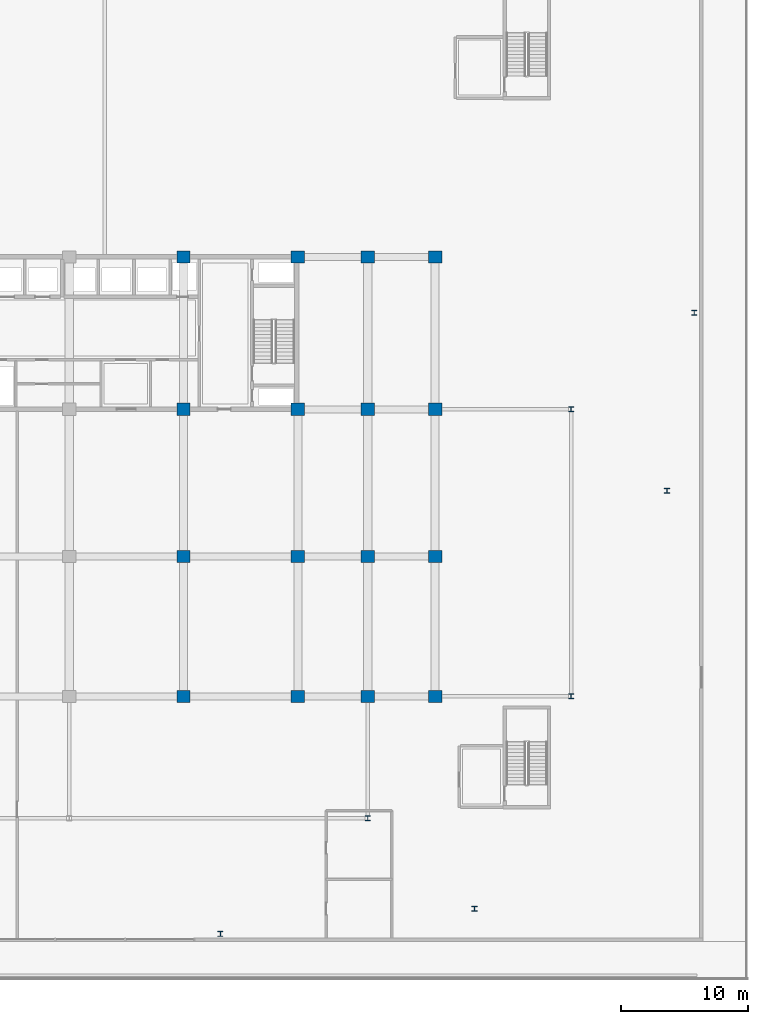
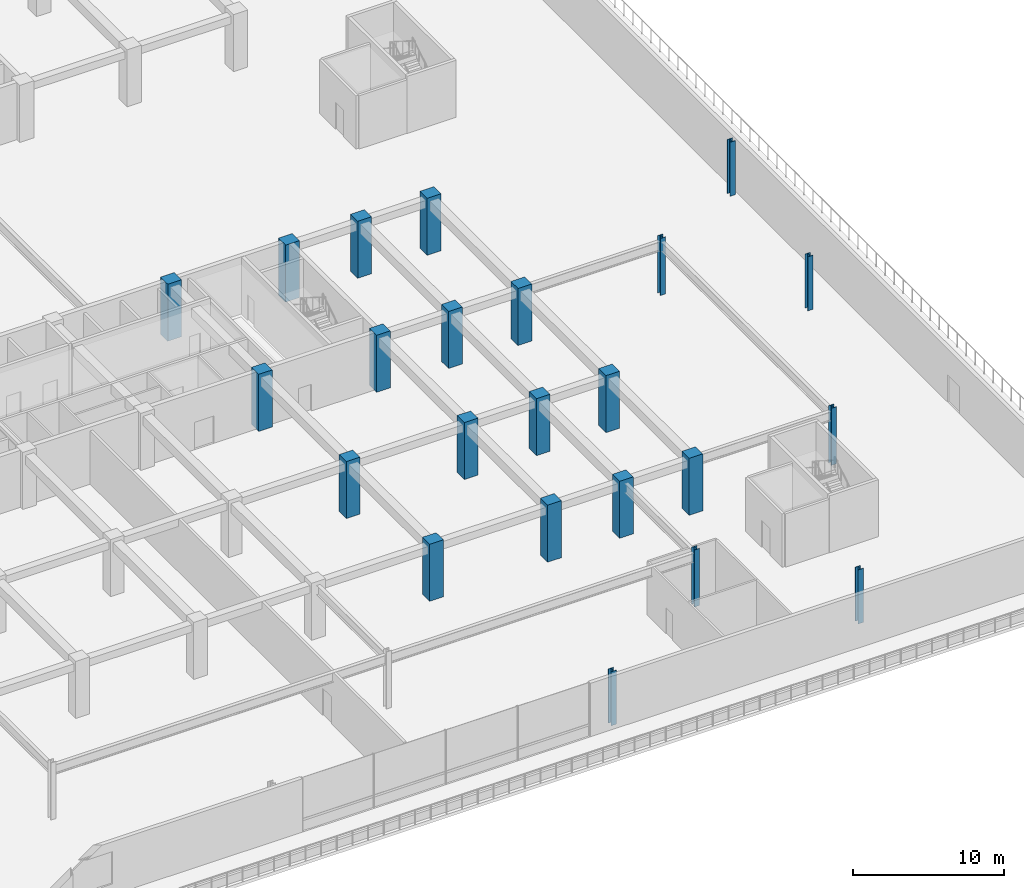
# One storey, part 2 of 45: 23 columns.
"""IFC4 building model written with IfcOpenShell, lengths in metres."""

import ifcopenshell
import ifcopenshell.guid

model = None  # the IFC model being written
_history = None  # IfcOwnerHistory: only IFC2X3 demands one
_inside = {}  # id of a spatial element -> (the spatial element, [elements in it])
_under = {}  # id of a project, library or spatial element -> (it, [spatial elements below it])
_declared = {}  # id of a project -> (the project, [libraries it declares])
_typed = {}  # id of a type object -> (the type object, [elements of that type])
_made_of = {}  # id of a material, layer set ... -> (it, [elements and type objects made of it])


def new_model(schema):
    """Start an empty IFC model of exactly this schema.

    Asked for "IFC4X3", IfcOpenShell would pick the latest addendum, in which some entities
    have other attributes; the version numbers below select the first issue.
    IFC2X3 requires an IfcOwnerHistory on every rooted entity: one is made here for all.
    """
    global model, _history
    if schema == "IFC4X3":
        model = ifcopenshell.file(schema_version=(4, 3, 0, 0))
    else:
        model = ifcopenshell.file(schema=schema)
    _inside.clear()
    _under.clear()
    _declared.clear()
    _typed.clear()
    _made_of.clear()
    _history = None
    if model.schema == "IFC2X3":
        org = make("IfcOrganization", Name="unknown")
        user = make(
            "IfcPersonAndOrganization",
            ThePerson=make("IfcPerson", FamilyName="unknown"),
            TheOrganization=org,
        )
        app = make(
            "IfcApplication",
            ApplicationDeveloper=org,
            Version="unknown",
            ApplicationFullName="unknown",
            ApplicationIdentifier="unknown",
        )
        _history = make(
            "IfcOwnerHistory",
            OwningUser=user,
            OwningApplication=app,
            ChangeAction="ADDED",
            CreationDate=0,
        )
    return model


def make(cls, **values):
    """One entity of the class cls with the attributes given. An attribute that is None is left unset."""
    return model.create_entity(
        cls, **{name: value for name, value in values.items() if value is not None}
    )


def rooted(cls, **values):
    """An entity with a GlobalId (a new one), such as an element, a storey or a relation."""
    return make(cls, GlobalId=ifcopenshell.guid.new(), OwnerHistory=_history, **values)


def si_unit(unit_type, name, prefix=None):
    """IfcSIUnit, for example si_unit("LENGTHUNIT", "METRE", prefix="MILLI")."""
    return make("IfcSIUnit", UnitType=unit_type, Prefix=prefix, Name=name)


def assignment(units):
    """IfcUnitAssignment: the units of a project."""
    return None if units is None else make("IfcUnitAssignment", Units=units)


def point(xyz):
    """IfcCartesianPoint."""
    return None if xyz is None else make("IfcCartesianPoint", Coordinates=xyz)


def direction(xyz):
    """IfcDirection."""
    return None if xyz is None else make("IfcDirection", DirectionRatios=xyz)


def frame(location, z_axis=None, x_axis=None):
    """IfcAxis2Placement3D, a coordinate frame: its origin and axes. An axis left out is left unset."""
    return make(
        "IfcAxis2Placement3D",
        Location=point(location),
        Axis=direction(z_axis),
        RefDirection=direction(x_axis),
    )


def frame_2d(location, x_axis=None):
    """IfcAxis2Placement2D, a coordinate frame in the plane: its origin and x axis."""
    return make(
        "IfcAxis2Placement2D", Location=point(location), RefDirection=direction(x_axis)
    )


def origin():
    """The frame at (0, 0, 0) with its axes left unset."""
    return frame((0.0, 0.0, 0.0))


def origin_2d():
    """The frame at (0, 0) in the plane with its x axis left unset."""
    return frame_2d((0.0, 0.0))


def place(relative_to, where):
    """IfcLocalPlacement: puts the frame where relative to a parent placement (None: the world)."""
    return make(
        "IfcLocalPlacement", PlacementRelTo=relative_to, RelativePlacement=where
    )


def context(
    kind, dimensions, precision=None, world=None, true_north=None, identifier=None
):
    """IfcGeometricRepresentationContext, for example the 3D "Model" context."""
    return make(
        "IfcGeometricRepresentationContext",
        ContextIdentifier=identifier,
        ContextType=kind,
        CoordinateSpaceDimension=dimensions,
        Precision=precision,
        WorldCoordinateSystem=world,
        TrueNorth=true_north,
    )


def subcontext(parent, identifier, kind, view, scale=None):
    """IfcGeometricRepresentationSubContext, for example "Body" below "Model"."""
    return make(
        "IfcGeometricRepresentationSubContext",
        ContextIdentifier=identifier,
        ContextType=kind,
        ParentContext=parent,
        TargetScale=scale,
        TargetView=view,
    )


def project(units=None, contexts=None):
    """IfcProject with its units and contexts."""
    return rooted(
        "IfcProject",
        Name="project",
        RepresentationContexts=contexts,
        UnitsInContext=assignment(units),
    )


def spatial(cls, under=None, at=None, **own):
    """A site, building, storey or space (cls), placed at a placement, below another one or the project."""
    s = rooted(cls, ObjectPlacement=at, **own)
    if under is not None:
        _under.setdefault(under.id(), (under, []))[1].append(s)
    return s


def profile(cls, at=None, kind="AREA", **sizes):
    """A parametric profile (cls). Its sizes go by their IFC names, for example OverallWidth=200.0."""
    return make(cls, ProfileType=kind, Position=at, **sizes)


def rectangle(**sizes):
    """IfcRectangleProfileDef."""
    return profile("IfcRectangleProfileDef", **sizes)


def i_section(**sizes):
    """IfcIShapeProfileDef."""
    return profile("IfcIShapeProfileDef", **sizes)


def extrude(swept, where, along, depth):
    """IfcExtrudedAreaSolid: the profile swept, set in the frame where, extruded along a direction by depth."""
    return make(
        "IfcExtrudedAreaSolid",
        SweptArea=swept,
        Position=where,
        ExtrudedDirection=direction(along),
        Depth=depth,
    )


def shape(context_of_items, identifier, shape_type, items):
    """IfcShapeRepresentation: the items that make up one representation, for example the "Body"."""
    return make(
        "IfcShapeRepresentation",
        ContextOfItems=context_of_items,
        RepresentationIdentifier=identifier,
        RepresentationType=shape_type,
        Items=items,
    )


def material(Name=None, Category=None):
    """IfcMaterial."""
    return make("IfcMaterial", Name=Name, Category=Category)


def material_profile(
    of_material, cross_section, Name=None, Category=None, Priority=None
):
    """IfcMaterialProfile: a cross section and its material."""
    return make(
        "IfcMaterialProfile",
        Name=Name,
        Material=of_material,
        Profile=cross_section,
        Priority=Priority,
        Category=Category,
    )


def profile_set(profiles, Name=None, composite=None):
    """IfcMaterialProfileSet."""
    return make(
        "IfcMaterialProfileSet",
        Name=Name,
        MaterialProfiles=profiles,
        CompositeProfile=composite,
    )


def made_of(thing, what):
    """Note that an element or type object is made of a material, layer set ...; save() writes the relation."""
    if what is not None:
        _made_of.setdefault(what.id(), (what, []))[1].append(thing)
    return thing


def type_object(cls, material=None, **own):
    """A type object (cls), such as IfcWallType, which elements share."""
    return made_of(rooted(cls, **own), material)


def element(
    cls,
    number,
    at=None,
    inside=None,
    cuts=None,
    type_object=None,
    material=None,
    context=None,
    identifier="Body",
    shape_type=None,
    held_by="IfcProductDefinitionShape",
    body=None,
    shapes=None,
    **own,
):
    """One element of the class cls, such as IfcWall. Its Tag is "e" and its number.

    at: its placement. inside: the storey or other place that contains it. cuts: it is an
    opening in that element (IfcRelVoidsElement). A single representation is given by context,
    identifier, shape_type and body (its items); several are given by shapes. held_by: the class
    of the entity that holds the representations. save() writes the other relations.
    """
    e = rooted(cls, Tag="e%d" % number, ObjectPlacement=at, **own)
    if body is not None:
        shapes = [shape(context, identifier, shape_type, body)]
    if shapes is not None:
        e.Representation = make(held_by, Representations=shapes)
    if inside is not None:
        _inside.setdefault(inside.id(), (inside, []))[1].append(e)
    if cuts is not None:
        rooted(
            "IfcRelVoidsElement", RelatingBuildingElement=cuts, RelatedOpeningElement=e
        )
    if type_object is not None:
        _typed.setdefault(type_object.id(), (type_object, []))[1].append(e)
    return made_of(e, material)


def aggregate(whole, parts):
    """IfcRelAggregates: a whole, such as a stair, and the parts it consists of."""
    return rooted("IfcRelAggregates", RelatingObject=whole, RelatedObjects=parts)


def save(model, path):
    """Write the relations noted so far, then the file.

    IfcRelAggregates (storeys below a building ...), IfcRelContainedInSpatialStructure (elements
    in a storey), IfcRelDefinesByType, IfcRelAssociatesMaterial and IfcRelDeclares: one each for
    every whole, place, type object, material and project.
    """
    for whole, parts in _under.values():
        aggregate(whole, parts)
    for where, things in _inside.values():
        rooted(
            "IfcRelContainedInSpatialStructure",
            RelatedElements=things,
            RelatingStructure=where,
        )
    for kind, things in _typed.values():
        rooted("IfcRelDefinesByType", RelatedObjects=things, RelatingType=kind)
    for what, things in _made_of.values():
        rooted("IfcRelAssociatesMaterial", RelatedObjects=things, RelatingMaterial=what)
    for by, libraries in _declared.values():
        rooted("IfcRelDeclares", RelatingContext=by, RelatedDefinitions=libraries)
    model.write(path)


model = new_model("IFC4")

# Units and contexts
model_context = context("Model", 3, precision=1e-05, world=origin(), true_north=direction((0.0, 1.0)))
body_context = subcontext(model_context, "Body", "Model", "MODEL_VIEW")
ifc_project = project(units=[si_unit("LENGTHUNIT", "METRE"), si_unit("AREAUNIT", "SQUARE_METRE"), si_unit("VOLUMEUNIT", "CUBIC_METRE"), si_unit("PLANEANGLEUNIT", "RADIAN"), si_unit("MASSUNIT", "GRAM", prefix="KILO")], contexts=[model_context])

# Site, building, storey
site_placement = place(None, origin())
site = spatial("IfcSite", under=ifc_project, at=site_placement, CompositionType="ELEMENT")
building_placement = place(site_placement, origin())
building = spatial("IfcBuilding", under=site, at=building_placement, Name="Korimba Cascade Residences", CompositionType="ELEMENT")
storey_placement = place(building_placement, frame((0.0, 0.0, 5.39990234375)))
storey = spatial("IfcBuildingStorey", under=building, at=storey_placement, Name="L01", CompositionType="ELEMENT", Elevation=5.39990234375)

# Columns
ifc_material_1 = material(Name="Concrete C80/95", Category="concrete")
ifc_material_profile_1 = material_profile(ifc_material_1, rectangle(XDim=1.050048828125, YDim=0.949951171875, at=origin_2d()), Name="Concrete C80/95")
ifc_profile_set_1 = profile_set([ifc_material_profile_1], Name="Concrete C80/95")
column_type_1 = type_object("IfcColumnType", Name="COL-RC-1050", PredefinedType="COLUMN", material=ifc_profile_set_1)
for number, where, z_axis, x_axis, name in (
    (1, (109.10009765625, -4.199951171875, 0.0), (0.0, 0.0, 1.0), (1.0, 0.0, 0.0), "L01 Tower 2 Column 5.1"),
    (2, (109.10009765625, 6.800048828125, 0.0), (0.0, 0.0, 1.0), (1.0, 0.0, 0.0), "L01 Tower 2 Column 5.2"),
    (3, (109.10009765625, 18.39990234375, 0.0), (0.0, 0.0, 1.0), (1.0, 0.0, 0.0), "L01 Tower 2 Column 5.3"),
    (4, (109.10009765625, 30.39990234375, 0.0), (0.0, 0.0, 1.0), (1.0, 0.0, 0.0), "L01 Tower 2 Column 5.4"),
    (5, (118.10009765625, -4.199951171875, 0.0), (0.0, 0.0, 1.0), (1.0, 0.0, 0.0), "L01 Tower 2 Column 6.1"),
    (6, (118.10009765625, 6.800048828125, 0.0), (0.0, 0.0, 1.0), (1.0, 0.0, 0.0), "L01 Tower 2 Column 6.2"),
    (7, (118.10009765625, 18.39990234375, 0.0), (0.0, 0.0, 1.0), (1.0, 0.0, 0.0), "L01 Tower 2 Column 6.3"),
    (8, (118.10009765625, 30.39990234375, 0.0), (0.0, 0.0, 1.0), (1.0, 0.0, 0.0), "L01 Tower 2 Column 6.4"),
    (9, (123.60009765625, -4.199951171875, 0.0), (0.0, 0.0, 1.0), (1.0, 0.0, 0.0), "L01 Tower 2 Column 7.1"),
    (10, (123.60009765625, 6.800048828125, 0.0), (0.0, 0.0, 1.0), (1.0, 0.0, 0.0), "L01 Tower 2 Column 7.2"),
    (11, (123.60009765625, 18.39990234375, 0.0), (0.0, 0.0, 1.0), (1.0, 0.0, 0.0), "L01 Tower 2 Column 7.3"),
    (12, (123.60009765625, 30.39990234375, 0.0), (0.0, 0.0, 1.0), (1.0, 0.0, 0.0), "L01 Tower 2 Column 7.4"),
    (13, (128.89990234375, -4.199951171875, 0.0), (0.0, 0.0, 1.0), (1.0, 0.0, 0.0), "L01 Tower 2 Column 8.1"),
    (14, (128.89990234375, 6.800048828125, 0.0), (0.0, 0.0, 1.0), (1.0, 0.0, 0.0), "L01 Tower 2 Column 8.2"),
    (15, (128.89990234375, 18.39990234375, 0.0), (0.0, 0.0, 1.0), (1.0, 0.0, 0.0), "L01 Tower 2 Column 8.3"),
    (16, (128.89990234375, 30.39990234375, 0.0), (0.0, 0.0, 1.0), (1.0, 0.0, 0.0), "L01 Tower 2 Column 8.4"),
):
    element("IfcColumn", number, at=place(storey_placement, frame(where, z_axis=z_axis, x_axis=x_axis)), inside=storey, type_object=column_type_1, Name=name, PredefinedType="COLUMN", context=body_context, shape_type="SweptSolid", body=[
        extrude(rectangle(XDim=1.050048828125, YDim=0.949951171875, at=origin_2d()), origin(), (0.0, 0.0, 1.0), 4.60009765625),
    ])
ifc_material_2 = material(Name="Steel S355", Category="steel")
ifc_material_profile_2 = material_profile(ifc_material_2, i_section(OverallWidth=0.39892578125, OverallDepth=0.3935546875, WebThickness=0.022705078125, FlangeThickness=0.03662109375, FilletRadius=0.01513671875, at=origin_2d()), Name="Steel S355")
ifc_profile_set_2 = profile_set([ifc_material_profile_2], Name="Steel S355")
column_type_2 = type_object("IfcColumnType", Name="COL-STL-UC287", PredefinedType="COLUMN", material=ifc_profile_set_2)
for number, where, z_axis, x_axis, name in (
    (17, (139.60009765625, -4.199951171875, 0.0), (0.0, 0.0, 1.0), (1.0, 0.0, 0.0), "L01 Podium Column PCE1"),
    (18, (139.60009765625, 18.39990234375, 0.0), (0.0, 0.0, 1.0), (1.0, 0.0, 0.0), "L01 Podium Column PCE2"),
    (19, (123.60009765625, -13.800048828125, 0.0), (0.0, 0.0, 1.0), (1.0, 0.0, 0.0), "L01 Podium Column PCS3"),
):
    element("IfcColumn", number, at=place(storey_placement, frame(where, z_axis=z_axis, x_axis=x_axis)), inside=storey, type_object=column_type_2, Name=name, PredefinedType="COLUMN", context=body_context, shape_type="SweptSolid", body=[
        extrude(i_section(OverallWidth=0.39892578125, OverallDepth=0.3935546875, WebThickness=0.022705078125, FlangeThickness=0.03662109375, FilletRadius=0.01513671875, at=origin_2d()), origin(), (0.0, 0.0, 1.0), 4.60009765625),
    ])
for number, where, z_axis, x_axis, name in (
    (20, (112.0, -22.89990234375, 0.0), (0.0, 0.0, 1.0), (1.0, 0.0, 0.0), "L01 Podium Column PTS2"),
    (21, (132.0, -20.89990234375, 0.0), (0.0, 0.0, 1.0), (1.0, 0.0, 0.0), "L01 Podium Column PTS4"),
    (22, (149.300048828125, 26.0, 0.0), (0.0, 0.0, 1.0), (1.0, 0.0, 0.0), "L01 Podium Column PTE1"),
    (23, (147.14990234375, 12.0, 0.0), (0.0, 0.0, 1.0), (1.0, 0.0, 0.0), "L01 Podium Column PTE3"),
):
    element("IfcColumn", number, at=place(storey_placement, frame(where, z_axis=z_axis, x_axis=x_axis)), inside=storey, type_object=column_type_2, Name=name, PredefinedType="COLUMN", context=body_context, shape_type="SweptSolid", body=[
        extrude(i_section(OverallWidth=0.39892578125, OverallDepth=0.3935546875, WebThickness=0.022705078125, FlangeThickness=0.03662109375, FilletRadius=0.01513671875, at=origin_2d()), origin(), (0.0, 0.0, 1.0), 4.360107421875),
    ])

save(model, "model.ifc")
